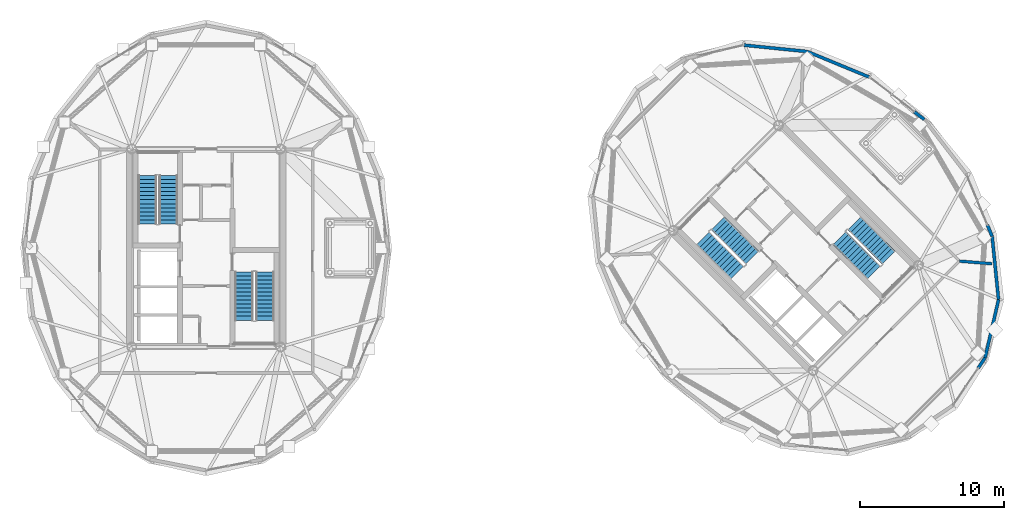
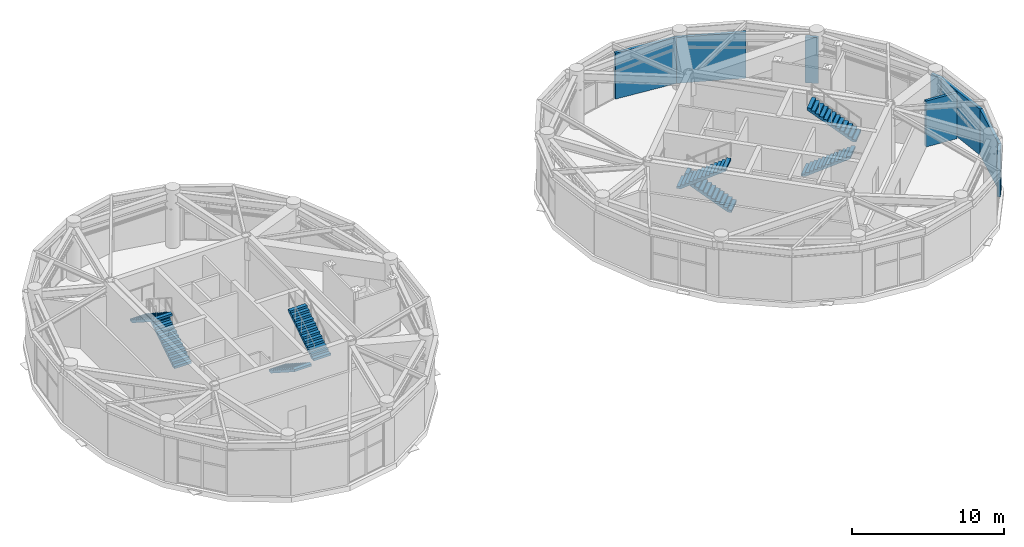
# One storey, part 26 of 28: 8 stair flights, 8 walls, 4 elements without a shape of their own.
"""IFC4 building model written with IfcOpenShell, lengths in metres."""

from ifc_helpers import new_model, si_unit, direction, frame, frame_2d, origin, place, context, subcontext, project, spatial, polyline, rectangle, outline, extrude, material, layer, layer_set, type_object, element, aggregate, save


model = new_model("IFC4")

# Units and contexts
model_context = context("Model", 3, precision=1e-05, world=origin(), true_north=direction((0.0, 1.0)))
body_context = subcontext(model_context, "Body", "Model", "MODEL_VIEW")
ifc_project = project(units=[si_unit("LENGTHUNIT", "METRE"), si_unit("AREAUNIT", "SQUARE_METRE"), si_unit("VOLUMEUNIT", "CUBIC_METRE"), si_unit("PLANEANGLEUNIT", "RADIAN"), si_unit("MASSUNIT", "GRAM", prefix="KILO")], contexts=[model_context])

# Site, building, storey
site_placement = place(None, origin())
site = spatial("IfcSite", under=ifc_project, at=site_placement, CompositionType="ELEMENT")
building_placement = place(site_placement, origin())
building = spatial("IfcBuilding", under=site, at=building_placement, Name="Cununo Teusaquillo Station Towers", CompositionType="ELEMENT")
storey_placement = place(building_placement, frame((0.0, 0.0, 235.64990234375)))
storey = spatial("IfcBuildingStorey", under=building, at=storey_placement, Name="L75", CompositionType="ELEMENT", Elevation=235.64990234375)

# Walls
ifc_material_1 = material(Name="Precast concrete C40/50", Category="concrete")
ifc_layer_1 = layer(ifc_material_1, 0.219970703125)
ifc_layer_set_1 = layer_set([ifc_layer_1], Name="Precast concrete C40/50")
wall_type_1 = type_object("IfcWallType", Name="WL-EXT-220", PredefinedType="SOLIDWALL", material=ifc_layer_set_1)
wall_1_placement = place(storey_placement, frame((65.74169921875, 33.9619140625, 0.0), z_axis=(0.0, 0.0, 1.0), x_axis=(0.792154336817, -0.610320822734, 0.0)))
element("IfcWall", 1, at=wall_1_placement, inside=storey, type_object=wall_type_1, Name="L75 Tower B Crown Drum Pier Cassette C00-PB", PredefinedType="SOLIDWALL", context=body_context, shape_type="SweptSolid", body=[
    extrude(rectangle(XDim=0.8701171875, YDim=0.219970703125, at=frame_2d((0.43505859375, 0.0))), origin(), (0.0, 0.0, 1.0), 3.696044921875),
])
wall_2_placement = place(storey_placement, frame((58.29541015625, 38.15478515625, 0.0), z_axis=(0.0, 0.0, 1.0), x_axis=(0.924447353237, -0.381309704956, 0.0)))
element("IfcWall", 2, at=wall_2_placement, inside=storey, type_object=wall_type_1, Name="L75 Tower B Crown Drum Spandrel Cassette C01", PredefinedType="SOLIDWALL", context=body_context, shape_type="SweptSolid", body=[
    extrude(rectangle(XDim=4.670654296875, YDim=0.219970703125, at=frame_2d((2.33544921875, 0.0))), origin(), (0.0, 0.0, 1.0), 3.696044921875),
])
wall_3_placement = place(storey_placement, frame((53.899658203125, 38.59912109375, 0.0), z_axis=(0.0, 0.0, 1.0), x_axis=(0.994929930991, -0.100570534541, 0.0)))
element("IfcWall", 3, at=wall_3_placement, inside=storey, type_object=wall_type_1, Name="L75 Tower B Crown Drum Spandrel Cassette C02", PredefinedType="SOLIDWALL", context=body_context, shape_type="SweptSolid", body=[
    extrude(rectangle(XDim=4.418212890625, YDim=0.219970703125, at=frame_2d((2.208984375, 0.0))), origin(), (0.0, 0.0, 1.0), 3.696044921875),
])
wall_4_placement = place(storey_placement, frame((70.663330078125, 16.856201171875, 0.0), z_axis=(0.0, 0.0, 1.0), x_axis=(-0.559482492851, -0.828842168446, 0.0)))
element("IfcWall", 4, at=wall_4_placement, inside=storey, type_object=wall_type_1, Name="L75 Tower B Crown Drum Pier Cassette C15-PA", PredefinedType="SOLIDWALL", context=body_context, shape_type="SweptSolid", body=[
    extrude(rectangle(XDim=0.8701171875, YDim=0.219970703125, at=frame_2d((0.43505859375, 0.0))), origin(), (0.0, 0.0, 1.0), 3.696044921875),
])
wall_5_placement = place(storey_placement, frame((71.59912109375, 20.899658203125, 0.0), z_axis=(0.0, 0.0, 1.0), x_axis=(-0.225473813158, -0.974249228678, 0.0)))
element("IfcWall", 5, at=wall_5_placement, inside=storey, type_object=wall_type_1, Name="L75 Tower B Crown Drum Spandrel Cassette C16", PredefinedType="SOLIDWALL", context=body_context, shape_type="SweptSolid", body=[
    extrude(rectangle(XDim=4.150390625, YDim=0.219970703125, at=frame_2d((2.0751953125, 0.0))), origin(), (0.0, 0.0, 1.0), 3.696044921875),
])
wall_6_placement = place(storey_placement, frame((71.15478515625, 25.29541015625, 0.0), z_axis=(0.0, 0.0, 1.0), x_axis=(0.100570534541, -0.994929930991, 0.0)))
element("IfcWall", 6, at=wall_6_placement, inside=storey, type_object=wall_type_1, Name="L75 Tower B Crown Drum Spandrel Cassette C17", PredefinedType="SOLIDWALL", context=body_context, shape_type="SweptSolid", body=[
    extrude(rectangle(XDim=4.418212890625, YDim=0.219970703125, at=frame_2d((2.208984375, 0.0))), origin(), (0.0, 0.0, 1.0), 3.696044921875),
])
wall_7_placement = place(storey_placement, frame((70.8232421875, 26.099609375, 0.0), z_axis=(0.0, 0.0, 1.0), x_axis=(0.381145028536, -0.924515260676, 0.0)))
element("IfcWall", 7, at=wall_7_placement, inside=storey, type_object=wall_type_1, Name="L75 Tower B Crown Drum Pier Cassette C18-PB", PredefinedType="SOLIDWALL", context=body_context, shape_type="SweptSolid", body=[
    extrude(rectangle(XDim=0.869873046875, YDim=0.219970703125, at=frame_2d((0.43505859375, 0.0))), origin(), (0.0, 0.0, 1.0), 3.696044921875),
])
ifc_material_2 = material(Name="Fire-rated gypsum plasterboard partition assembly", Category="gypsum")
ifc_layer_2 = layer(ifc_material_2, 0.199951171875)
ifc_layer_set_2 = layer_set([ifc_layer_2], Name="Fire-rated gypsum plasterboard partition assembly")
wall_type_2 = type_object("IfcWallType", Name="WL-PART-200", PredefinedType="PARTITIONING", material=ifc_layer_set_2)
wall_8_placement = place(storey_placement, frame((68.884521484375, 23.580810546875, 0.0), z_axis=(0.0, 0.0, 1.0), x_axis=(0.996754503146, -0.080501307187, 0.0)))
element("IfcWall", 8, at=wall_8_placement, inside=storey, type_object=wall_type_2, Name="L75 Tower B Crown Radial Wall Q3", PredefinedType="PARTITIONING", context=body_context, shape_type="SweptSolid", body=[
    extrude(rectangle(XDim=2.271484375, YDim=0.199951171875, at=frame_2d((1.1357421875, 0.0))), origin(), (0.0, 0.0, 1.0), 3.696044921875),
])

# Stair, stair flights
ifc_material_3 = material(Name="Concrete C50/60", Category="concrete")
stair_type = type_object("IfcStairType", Name="ST-TWR-1300", PredefinedType="HALF_TURN_STAIR", material=ifc_material_3)
stair_1_placement = place(storey_placement, origin())
stair_1 = element("IfcStair", 9, at=stair_1_placement, inside=storey, type_object=stair_type, Name="L75 Tower A Protected Core Exit Stair 1", PredefinedType="HALF_TURN_STAIR")
ifc_material_4 = material(Name="Concrete C50/60", Category="concrete")
stair_flight_type = type_object("IfcStairFlightType", Name="SFL-TWR-1300", PredefinedType="STRAIGHT", material=ifc_material_4)
stair_flight_1_placement = place(storey_placement, frame((13.8701171875, 26.169921875, 0.0), z_axis=(0.0, 0.0, 1.0), x_axis=(0.0, 1.0, 0.0)))
stair_flight_1 = element("IfcStairFlight", 10, at=stair_flight_1_placement, type_object=stair_flight_type, Name="ST-T1-1 flight 1", NumberOfRisers=13, NumberOfTreads=12, PredefinedType="STRAIGHT", RiserHeight=0.18, TreadLength=0.28, context=body_context, shape_type="SweptSolid", body=[
    extrude(outline(polyline([(0.0, 0.0), (0.0, 0.179931640625), (0.280029296875, 0.179931640625), (0.280029296875, 0.360107421875), (0.56005859375, 0.360107421875), (0.56005859375, 0.5400390625), (0.840087890625, 0.5400390625), (0.840087890625, 0.719970703125), (1.1201171875, 0.719970703125), (1.1201171875, 0.89990234375), (1.39990234375, 0.89990234375), (1.39990234375, 1.080078125), (1.679931640625, 1.080078125), (1.679931640625, 1.260009765625), (1.9599609375, 1.260009765625), (1.9599609375, 1.43994140625), (2.239990234375, 1.43994140625), (2.239990234375, 1.6201171875), (2.52001953125, 1.6201171875), (2.52001953125, 1.800048828125), (2.800048828125, 1.800048828125), (2.800048828125, 1.97998046875), (3.080078125, 1.97998046875), (3.080078125, 2.159912109375), (3.360107421875, 2.159912109375), (3.360107421875, 2.340087890625), (3.360107421875, 1.981689453125), (0.277099609375, 0.0), (0.0, 0.0)])), frame((0.0, 0.64990234375, 0.0), z_axis=(0.0, -1.0, 0.0), x_axis=(1.0, 0.0, 0.0)), (0.0, 0.0, 1.0), 1.300048828125),
])
stair_flight_2_placement = place(storey_placement, frame((12.409912109375, 29.530029296875, 2.340087890625), z_axis=(0.0, 0.0, 1.0), x_axis=(0.0, -1.0, 0.0)))
stair_flight_2 = element("IfcStairFlight", 11, at=stair_flight_2_placement, type_object=stair_flight_type, Name="ST-T1-1 flight 2", NumberOfRisers=13, NumberOfTreads=12, PredefinedType="STRAIGHT", RiserHeight=0.18, TreadLength=0.28, context=body_context, shape_type="SweptSolid", body=[
    extrude(outline(polyline([(0.0, 0.0), (0.0, 0.179931640625), (0.280029296875, 0.179931640625), (0.280029296875, 0.360107421875), (0.56005859375, 0.360107421875), (0.56005859375, 0.5400390625), (0.840087890625, 0.5400390625), (0.840087890625, 0.719970703125), (1.1201171875, 0.719970703125), (1.1201171875, 0.89990234375), (1.39990234375, 0.89990234375), (1.39990234375, 1.080078125), (1.679931640625, 1.080078125), (1.679931640625, 1.260009765625), (1.9599609375, 1.260009765625), (1.9599609375, 1.43994140625), (2.239990234375, 1.43994140625), (2.239990234375, 1.6201171875), (2.52001953125, 1.6201171875), (2.52001953125, 1.800048828125), (2.800048828125, 1.800048828125), (2.800048828125, 1.97998046875), (3.080078125, 1.97998046875), (3.080078125, 2.159912109375), (3.360107421875, 2.159912109375), (3.360107421875, 2.340087890625), (3.360107421875, 1.981689453125), (0.277099609375, 0.0), (0.0, 0.0)])), frame((0.0, 0.64990234375, 0.0), z_axis=(0.0, -1.0, 0.0), x_axis=(1.0, 0.0, 0.0)), (0.0, 0.0, 1.0), 1.300048828125),
])
aggregate(stair_1, [stair_flight_1, stair_flight_2])

stair_2_placement = place(storey_placement, origin())
stair_2 = element("IfcStair", 12, at=stair_2_placement, inside=storey, type_object=stair_type, Name="L75 Tower A Protected Core Exit Stair 2", PredefinedType="HALF_TURN_STAIR")
stair_flight_3_placement = place(storey_placement, frame((19.1298828125, 22.830078125, 0.0), z_axis=(0.0, 0.0, 1.0), x_axis=(0.0, -1.0, 0.0)))
stair_flight_3 = element("IfcStairFlight", 13, at=stair_flight_3_placement, type_object=stair_flight_type, Name="ST-T1-2 flight 1", NumberOfRisers=13, NumberOfTreads=12, PredefinedType="STRAIGHT", RiserHeight=0.18, TreadLength=0.28, context=body_context, shape_type="SweptSolid", body=[
    extrude(outline(polyline([(0.0, 0.0), (0.0, 0.179931640625), (0.280029296875, 0.179931640625), (0.280029296875, 0.360107421875), (0.56005859375, 0.360107421875), (0.56005859375, 0.5400390625), (0.840087890625, 0.5400390625), (0.840087890625, 0.719970703125), (1.1201171875, 0.719970703125), (1.1201171875, 0.89990234375), (1.39990234375, 0.89990234375), (1.39990234375, 1.080078125), (1.679931640625, 1.080078125), (1.679931640625, 1.260009765625), (1.9599609375, 1.260009765625), (1.9599609375, 1.43994140625), (2.239990234375, 1.43994140625), (2.239990234375, 1.6201171875), (2.52001953125, 1.6201171875), (2.52001953125, 1.800048828125), (2.800048828125, 1.800048828125), (2.800048828125, 1.97998046875), (3.080078125, 1.97998046875), (3.080078125, 2.159912109375), (3.360107421875, 2.159912109375), (3.360107421875, 2.340087890625), (3.360107421875, 1.981689453125), (0.277099609375, 0.0), (0.0, 0.0)])), frame((0.0, 0.64990234375, 0.0), z_axis=(0.0, -1.0, 0.0), x_axis=(1.0, 0.0, 0.0)), (0.0, 0.0, 1.0), 1.300048828125),
])
stair_flight_4_placement = place(storey_placement, frame((20.590087890625, 19.469970703125, 2.340087890625), z_axis=(0.0, 0.0, 1.0), x_axis=(0.0, 1.0, 0.0)))
stair_flight_4 = element("IfcStairFlight", 14, at=stair_flight_4_placement, type_object=stair_flight_type, Name="ST-T1-2 flight 2", NumberOfRisers=13, NumberOfTreads=12, PredefinedType="STRAIGHT", RiserHeight=0.18, TreadLength=0.28, context=body_context, shape_type="SweptSolid", body=[
    extrude(outline(polyline([(0.0, 0.0), (0.0, 0.179931640625), (0.280029296875, 0.179931640625), (0.280029296875, 0.360107421875), (0.56005859375, 0.360107421875), (0.56005859375, 0.5400390625), (0.840087890625, 0.5400390625), (0.840087890625, 0.719970703125), (1.1201171875, 0.719970703125), (1.1201171875, 0.89990234375), (1.39990234375, 0.89990234375), (1.39990234375, 1.080078125), (1.679931640625, 1.080078125), (1.679931640625, 1.260009765625), (1.9599609375, 1.260009765625), (1.9599609375, 1.43994140625), (2.239990234375, 1.43994140625), (2.239990234375, 1.6201171875), (2.52001953125, 1.6201171875), (2.52001953125, 1.800048828125), (2.800048828125, 1.800048828125), (2.800048828125, 1.97998046875), (3.080078125, 1.97998046875), (3.080078125, 2.159912109375), (3.360107421875, 2.159912109375), (3.360107421875, 2.340087890625), (3.360107421875, 1.981689453125), (0.277099609375, 0.0), (0.0, 0.0)])), frame((0.0, 0.64990234375, 0.0), z_axis=(0.0, -1.0, 0.0), x_axis=(1.0, 0.0, 0.0)), (0.0, 0.0, 1.0), 1.300048828125),
])
aggregate(stair_2, [stair_flight_3, stair_flight_4])

stair_3_placement = place(storey_placement, origin())
stair_3 = element("IfcStair", 15, at=stair_3_placement, inside=storey, type_object=stair_type, Name="L75 Tower B Protected Core Exit Stair 1", PredefinedType="HALF_TURN_STAIR")
stair_flight_5_placement = place(storey_placement, frame((54.45947265625, 23.8212890625, 0.0), z_axis=(0.0, 0.0, 1.0), x_axis=(-0.707106781187, 0.707106781187, 0.0)))
stair_flight_5 = element("IfcStairFlight", 16, at=stair_flight_5_placement, type_object=stair_flight_type, Name="ST-T2-1 flight 1", NumberOfRisers=13, NumberOfTreads=12, PredefinedType="STRAIGHT", RiserHeight=0.18, TreadLength=0.28, context=body_context, shape_type="SweptSolid", body=[
    extrude(outline(polyline([(0.0, 0.0), (0.0, 0.179931640625), (0.280029296875, 0.179931640625), (0.280029296875, 0.360107421875), (0.56005859375, 0.360107421875), (0.56005859375, 0.5400390625), (0.840087890625, 0.5400390625), (0.840087890625, 0.719970703125), (1.1201171875, 0.719970703125), (1.1201171875, 0.89990234375), (1.39990234375, 0.89990234375), (1.39990234375, 1.080078125), (1.679931640625, 1.080078125), (1.679931640625, 1.260009765625), (1.9599609375, 1.260009765625), (1.9599609375, 1.43994140625), (2.239990234375, 1.43994140625), (2.239990234375, 1.6201171875), (2.52001953125, 1.6201171875), (2.52001953125, 1.800048828125), (2.800048828125, 1.800048828125), (2.800048828125, 1.97998046875), (3.080078125, 1.97998046875), (3.080078125, 2.159912109375), (3.360107421875, 2.159912109375), (3.360107421875, 2.340087890625), (3.360107421875, 1.981689453125), (0.277099609375, 0.0), (0.0, 0.0)])), frame((0.0, 0.64990234375, 0.0), z_axis=(0.0, -1.0, 0.0), x_axis=(1.0, 0.0, 0.0)), (0.0, 0.0, 1.0), 1.300048828125),
])
stair_flight_6_placement = place(storey_placement, frame((51.05126953125, 25.164794921875, 2.340087890625), z_axis=(0.0, 0.0, 1.0), x_axis=(0.707106781187, -0.707106781187, 0.0)))
stair_flight_6 = element("IfcStairFlight", 17, at=stair_flight_6_placement, type_object=stair_flight_type, Name="ST-T2-1 flight 2", NumberOfRisers=13, NumberOfTreads=12, PredefinedType="STRAIGHT", RiserHeight=0.18, TreadLength=0.28, context=body_context, shape_type="SweptSolid", body=[
    extrude(outline(polyline([(0.0, 0.0), (0.0, 0.179931640625), (0.280029296875, 0.179931640625), (0.280029296875, 0.360107421875), (0.56005859375, 0.360107421875), (0.56005859375, 0.5400390625), (0.840087890625, 0.5400390625), (0.840087890625, 0.719970703125), (1.1201171875, 0.719970703125), (1.1201171875, 0.89990234375), (1.39990234375, 0.89990234375), (1.39990234375, 1.080078125), (1.679931640625, 1.080078125), (1.679931640625, 1.260009765625), (1.9599609375, 1.260009765625), (1.9599609375, 1.43994140625), (2.239990234375, 1.43994140625), (2.239990234375, 1.6201171875), (2.52001953125, 1.6201171875), (2.52001953125, 1.800048828125), (2.800048828125, 1.800048828125), (2.800048828125, 1.97998046875), (3.080078125, 1.97998046875), (3.080078125, 2.159912109375), (3.360107421875, 2.159912109375), (3.360107421875, 2.340087890625), (3.360107421875, 1.981689453125), (0.277099609375, 0.0), (0.0, 0.0)])), frame((0.0, 0.64990234375, 0.0), z_axis=(0.0, -1.0, 0.0), x_axis=(1.0, 0.0, 0.0)), (0.0, 0.0, 1.0), 1.300048828125),
])
aggregate(stair_3, [stair_flight_5, stair_flight_6])

stair_4_placement = place(storey_placement, origin())
stair_4 = element("IfcStair", 18, at=stair_4_placement, inside=storey, type_object=stair_type, Name="L75 Tower B Protected Core Exit Stair 2", PredefinedType="HALF_TURN_STAIR")
stair_flight_7_placement = place(storey_placement, frame((60.54052734375, 25.1787109375, 0.0), z_axis=(0.0, 0.0, 1.0), x_axis=(0.707106781187, -0.707106781187, 0.0)))
stair_flight_7 = element("IfcStairFlight", 19, at=stair_flight_7_placement, type_object=stair_flight_type, Name="ST-T2-2 flight 1", NumberOfRisers=13, NumberOfTreads=12, PredefinedType="STRAIGHT", RiserHeight=0.18, TreadLength=0.28, context=body_context, shape_type="SweptSolid", body=[
    extrude(outline(polyline([(0.0, 0.0), (0.0, 0.179931640625), (0.280029296875, 0.179931640625), (0.280029296875, 0.360107421875), (0.56005859375, 0.360107421875), (0.56005859375, 0.5400390625), (0.840087890625, 0.5400390625), (0.840087890625, 0.719970703125), (1.1201171875, 0.719970703125), (1.1201171875, 0.89990234375), (1.39990234375, 0.89990234375), (1.39990234375, 1.080078125), (1.679931640625, 1.080078125), (1.679931640625, 1.260009765625), (1.9599609375, 1.260009765625), (1.9599609375, 1.43994140625), (2.239990234375, 1.43994140625), (2.239990234375, 1.6201171875), (2.52001953125, 1.6201171875), (2.52001953125, 1.800048828125), (2.800048828125, 1.800048828125), (2.800048828125, 1.97998046875), (3.080078125, 1.97998046875), (3.080078125, 2.159912109375), (3.360107421875, 2.159912109375), (3.360107421875, 2.340087890625), (3.360107421875, 1.981689453125), (0.277099609375, 0.0), (0.0, 0.0)])), frame((0.0, 0.64990234375, 0.0), z_axis=(0.0, -1.0, 0.0), x_axis=(1.0, 0.0, 0.0)), (0.0, 0.0, 1.0), 1.300048828125),
])
stair_flight_8_placement = place(storey_placement, frame((63.94873046875, 23.835205078125, 2.340087890625), z_axis=(0.0, 0.0, 1.0), x_axis=(-0.707106781187, 0.707106781187, 0.0)))
stair_flight_8 = element("IfcStairFlight", 20, at=stair_flight_8_placement, type_object=stair_flight_type, Name="ST-T2-2 flight 2", NumberOfRisers=13, NumberOfTreads=12, PredefinedType="STRAIGHT", RiserHeight=0.18, TreadLength=0.28, context=body_context, shape_type="SweptSolid", body=[
    extrude(outline(polyline([(0.0, 0.0), (0.0, 0.179931640625), (0.280029296875, 0.179931640625), (0.280029296875, 0.360107421875), (0.56005859375, 0.360107421875), (0.56005859375, 0.5400390625), (0.840087890625, 0.5400390625), (0.840087890625, 0.719970703125), (1.1201171875, 0.719970703125), (1.1201171875, 0.89990234375), (1.39990234375, 0.89990234375), (1.39990234375, 1.080078125), (1.679931640625, 1.080078125), (1.679931640625, 1.260009765625), (1.9599609375, 1.260009765625), (1.9599609375, 1.43994140625), (2.239990234375, 1.43994140625), (2.239990234375, 1.6201171875), (2.52001953125, 1.6201171875), (2.52001953125, 1.800048828125), (2.800048828125, 1.800048828125), (2.800048828125, 1.97998046875), (3.080078125, 1.97998046875), (3.080078125, 2.159912109375), (3.360107421875, 2.159912109375), (3.360107421875, 2.340087890625), (3.360107421875, 1.981689453125), (0.277099609375, 0.0), (0.0, 0.0)])), frame((0.0, 0.64990234375, 0.0), z_axis=(0.0, -1.0, 0.0), x_axis=(1.0, 0.0, 0.0)), (0.0, 0.0, 1.0), 1.300048828125),
])
aggregate(stair_4, [stair_flight_7, stair_flight_8])

save(model, "model.ifc")
